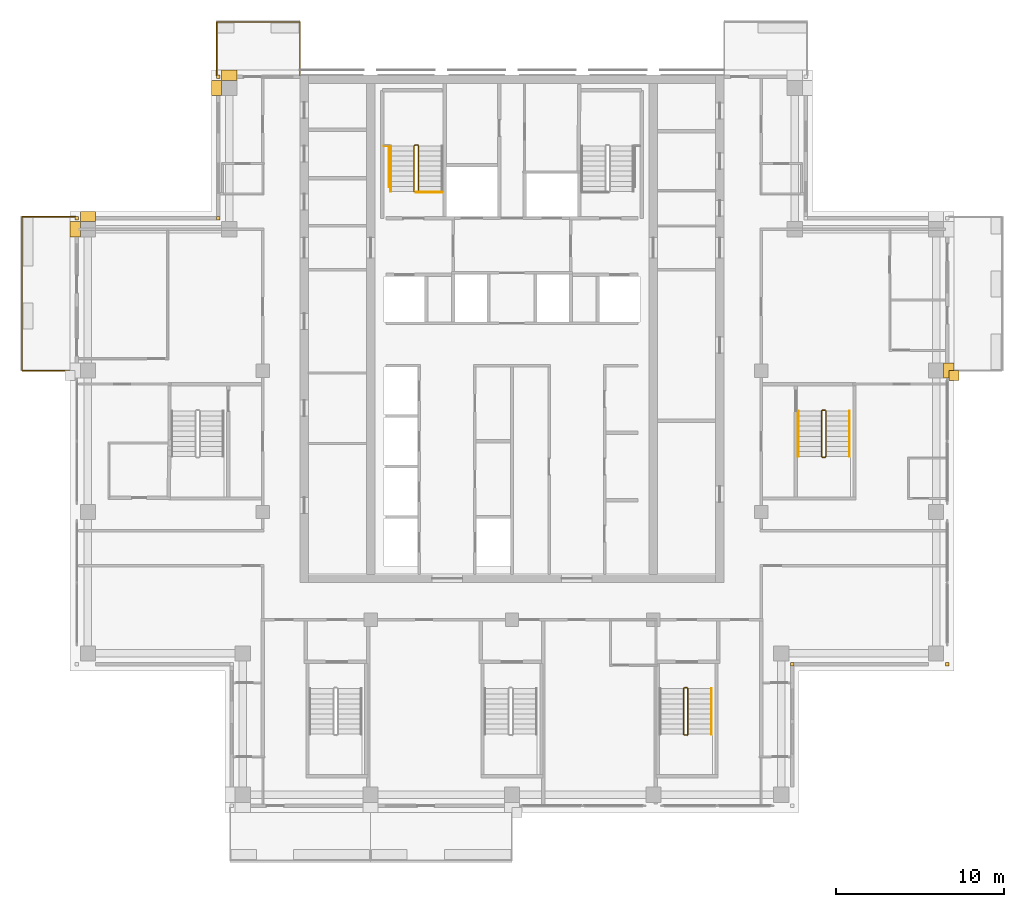
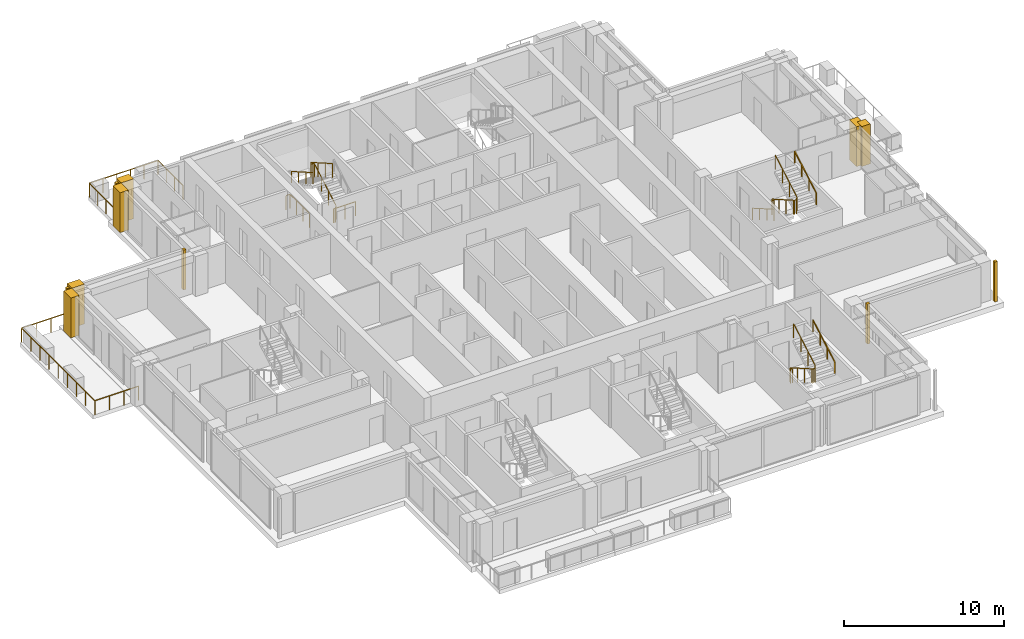
# One storey, part 14 of 15: 11 coverings, 11 railings.
"""IFC4 building model written with IfcOpenShell, lengths in metres."""

from ifc_helpers import new_model, si_unit, direction, frame, origin, origin_2d, place, context, subcontext, project, spatial, polyline, rectangle, outline, extrude, material, type_object, element, save


model = new_model("IFC4")

# Units and contexts
model_context = context("Model", 3, precision=1e-05, world=origin(), true_north=direction((0.0, 1.0)))
body_context = subcontext(model_context, "Body", "Model", "MODEL_VIEW")
ifc_project = project(units=[si_unit("LENGTHUNIT", "METRE"), si_unit("AREAUNIT", "SQUARE_METRE"), si_unit("VOLUMEUNIT", "CUBIC_METRE"), si_unit("PLANEANGLEUNIT", "RADIAN"), si_unit("MASSUNIT", "GRAM", prefix="KILO")], contexts=[model_context])

# Site, building, storey
site_placement = place(None, origin())
site = spatial("IfcSite", under=ifc_project, at=site_placement, CompositionType="ELEMENT")
building_placement = place(site_placement, origin())
building = spatial("IfcBuilding", under=site, at=building_placement, Name="Vermilion Ogive Tower", CompositionType="ELEMENT")
storey_placement = place(building_placement, frame((0.0, 0.0, 237.25)))
storey = spatial("IfcBuildingStorey", under=building, at=storey_placement, Name="L62", CompositionType="ELEMENT", Elevation=237.25)

# Railings
ifc_material_1 = material(Name="Stainless steel and glass", Category="steel")
railing_type_1 = type_object("IfcRailingType", Name="Balcony guard", PredefinedType="GUARDRAIL", material=ifc_material_1)
railing_1_placement = place(storey_placement, frame((-12.60009765625, 21.75, -0.0400390625)))
element("IfcRailing", 1, at=railing_1_placement, inside=storey, type_object=railing_type_1, Name="Guard N201", PredefinedType="GUARDRAIL", context=body_context, shape_type="SweptSolid", body=[
    extrude(rectangle(XDim=0.048095703125, YDim=0.048095703125, at=origin_2d()), frame((0.0, 0.0, 1.076171875), z_axis=(0.0, 1.0, 0.0), x_axis=(-1.0, 0.0, 0.0)), (0.0, 0.0, 1.0), 3.159912109375),
    extrude(rectangle(XDim=0.048095703125, YDim=0.048095703125, at=origin_2d()), frame((0.0, 3.159912109375, 1.076171875), z_axis=(-1.0, 0.0, 0.0), x_axis=(0.0, -1.0, 0.0)), (0.0, 0.0, 1.0), 4.949951171875),
    extrude(rectangle(XDim=0.048095703125, YDim=0.048095703125, at=origin_2d()), frame((-4.949951171875, 3.159912109375, 1.076171875), z_axis=(0.0, -1.0, 0.0), x_axis=(1.0, 0.0, 0.0)), (0.0, 0.0, 1.0), 3.159912109375),
    extrude(rectangle(XDim=0.0419921875, YDim=0.0419921875, at=origin_2d()), origin(), (0.0, 0.0, 1.0), 1.052001953125),
    extrude(rectangle(XDim=0.0419921875, YDim=0.0419921875, at=origin_2d()), frame((0.0, 1.05322265625, 0.0)), (0.0, 0.0, 1.0), 1.052001953125),
    extrude(rectangle(XDim=0.0419921875, YDim=0.0419921875, at=origin_2d()), frame((0.0, 2.106689453125, 0.0)), (0.0, 0.0, 1.0), 1.052001953125),
    extrude(rectangle(XDim=0.0419921875, YDim=0.0419921875, at=origin_2d()), frame((0.0, 3.159912109375, 0.0)), (0.0, 0.0, 1.0), 1.052001953125),
    extrude(rectangle(XDim=0.0419921875, YDim=0.0419921875, at=origin_2d()), frame((-0.989990234375, 3.159912109375, 0.0)), (0.0, 0.0, 1.0), 1.052001953125),
    extrude(rectangle(XDim=0.0419921875, YDim=0.0419921875, at=origin_2d()), frame((-1.97998046875, 3.159912109375, 0.0)), (0.0, 0.0, 1.0), 1.052001953125),
    extrude(rectangle(XDim=0.0419921875, YDim=0.0419921875, at=origin_2d()), frame((-2.969970703125, 3.159912109375, 0.0)), (0.0, 0.0, 1.0), 1.052001953125),
    extrude(rectangle(XDim=0.0419921875, YDim=0.0419921875, at=origin_2d()), frame((-3.9599609375, 3.159912109375, 0.0)), (0.0, 0.0, 1.0), 1.052001953125),
    extrude(rectangle(XDim=0.0419921875, YDim=0.0419921875, at=origin_2d()), frame((-4.949951171875, 3.159912109375, 0.0)), (0.0, 0.0, 1.0), 1.052001953125),
    extrude(rectangle(XDim=0.0419921875, YDim=0.0419921875, at=origin_2d()), frame((-4.949951171875, 2.106689453125, 0.0)), (0.0, 0.0, 1.0), 1.052001953125),
    extrude(rectangle(XDim=0.0419921875, YDim=0.0419921875, at=origin_2d()), frame((-4.949951171875, 1.05322265625, 0.0)), (0.0, 0.0, 1.0), 1.052001953125),
    extrude(rectangle(XDim=0.0419921875, YDim=0.0419921875, at=origin_2d()), frame((-4.949951171875, 0.0, 0.0)), (0.0, 0.0, 1.0), 1.052001953125),
])
railing_2_placement = place(storey_placement, frame((-25.949951171875, 13.35009765625, -0.0400390625)))
element("IfcRailing", 2, at=railing_2_placement, inside=storey, type_object=railing_type_1, Name="Guard W01", PredefinedType="GUARDRAIL", context=body_context, shape_type="SweptSolid", body=[
    extrude(rectangle(XDim=0.048095703125, YDim=0.048095703125, at=origin_2d()), frame((0.0, 0.0, 1.076171875), z_axis=(-1.0, 0.0, 0.0), x_axis=(0.0, -1.0, 0.0)), (0.0, 0.0, 1.0), 3.16015625),
    extrude(rectangle(XDim=0.048095703125, YDim=0.048095703125, at=origin_2d()), frame((-3.16015625, 0.0, 1.076171875), z_axis=(0.0, -1.0, 0.0), x_axis=(1.0, 0.0, 0.0)), (0.0, 0.0, 1.0), 9.150146484375),
    extrude(rectangle(XDim=0.048095703125, YDim=0.048095703125, at=origin_2d()), frame((-3.16015625, -9.150146484375, 1.076171875), z_axis=(1.0, 0.0, 0.0), x_axis=(0.0, 1.0, 0.0)), (0.0, 0.0, 1.0), 3.16015625),
    extrude(rectangle(XDim=0.0419921875, YDim=0.0419921875, at=origin_2d()), origin(), (0.0, 0.0, 1.0), 1.052001953125),
    extrude(rectangle(XDim=0.0419921875, YDim=0.0419921875, at=origin_2d()), frame((-1.053466796875, 0.0, 0.0)), (0.0, 0.0, 1.0), 1.052001953125),
    extrude(rectangle(XDim=0.0419921875, YDim=0.0419921875, at=origin_2d()), frame((-2.106689453125, 0.0, 0.0)), (0.0, 0.0, 1.0), 1.052001953125),
    extrude(rectangle(XDim=0.0419921875, YDim=0.0419921875, at=origin_2d()), frame((-3.16015625, 0.0, 0.0)), (0.0, 0.0, 1.0), 1.052001953125),
    extrude(rectangle(XDim=0.0419921875, YDim=0.0419921875, at=origin_2d()), frame((-3.16015625, -1.143798828125, 0.0)), (0.0, 0.0, 1.0), 1.052001953125),
    extrude(rectangle(XDim=0.0419921875, YDim=0.0419921875, at=origin_2d()), frame((-3.16015625, -2.28759765625, 0.0)), (0.0, 0.0, 1.0), 1.052001953125),
    extrude(rectangle(XDim=0.0419921875, YDim=0.0419921875, at=origin_2d()), frame((-3.16015625, -3.431396484375, 0.0)), (0.0, 0.0, 1.0), 1.052001953125),
    extrude(rectangle(XDim=0.0419921875, YDim=0.0419921875, at=origin_2d()), frame((-3.16015625, -4.5751953125, 0.0)), (0.0, 0.0, 1.0), 1.052001953125),
    extrude(rectangle(XDim=0.0419921875, YDim=0.0419921875, at=origin_2d()), frame((-3.16015625, -5.71875, 0.0)), (0.0, 0.0, 1.0), 1.052001953125),
    extrude(rectangle(XDim=0.0419921875, YDim=0.0419921875, at=origin_2d()), frame((-3.16015625, -6.862548828125, 0.0)), (0.0, 0.0, 1.0), 1.052001953125),
    extrude(rectangle(XDim=0.0419921875, YDim=0.0419921875, at=origin_2d()), frame((-3.16015625, -8.00634765625, 0.0)), (0.0, 0.0, 1.0), 1.052001953125),
    extrude(rectangle(XDim=0.0419921875, YDim=0.0419921875, at=origin_2d()), frame((-3.16015625, -9.150146484375, 0.0)), (0.0, 0.0, 1.0), 1.052001953125),
    extrude(rectangle(XDim=0.0419921875, YDim=0.0419921875, at=origin_2d()), frame((-2.106689453125, -9.150146484375, 0.0)), (0.0, 0.0, 1.0), 1.052001953125),
    extrude(rectangle(XDim=0.0419921875, YDim=0.0419921875, at=origin_2d()), frame((-1.053466796875, -9.150146484375, 0.0)), (0.0, 0.0, 1.0), 1.052001953125),
    extrude(rectangle(XDim=0.0419921875, YDim=0.0419921875, at=origin_2d()), frame((0.0, -9.150146484375, 0.0)), (0.0, 0.0, 1.0), 1.052001953125),
])
ifc_material_2 = material(Name="Steel S355 painted", Category="steel")
railing_type_2 = type_object("IfcRailingType", Name="Stair guard 1100", PredefinedType="GUARDRAIL", material=ifc_material_2)
railing_3_placement = place(storey_placement, frame((-5.75, 14.800048828125, 0.0)))
element("IfcRailing", 3, at=railing_3_placement, inside=storey, type_object=railing_type_2, Name="L62 ST1 stair guard 4", PredefinedType="GUARDRAIL", context=body_context, shape_type="SweptSolid", body=[
    extrude(rectangle(XDim=0.048095703125, YDim=0.048095703125, at=origin_2d()), frame((0.0, 0.0, 1.076171875), z_axis=(1.0, 0.0, 0.0), x_axis=(0.0, 1.0, 0.0)), (0.0, 0.0, 1.0), 0.14990234375),
    extrude(rectangle(XDim=0.048095703125, YDim=0.048095703125, at=origin_2d()), frame((0.14990234375, 0.0, 1.076171875), z_axis=(0.268277960024, 0.268277960024, 0.925231793839), x_axis=(-0.707106781187, 0.707106781187, 0.0)), (0.0, 0.0, 1.0), 0.1865234375),
    extrude(rectangle(XDim=0.048095703125, YDim=0.048095703125, at=origin_2d()), frame((0.199951171875, 0.050048828125, 1.24853515625), z_axis=(0.0, 0.866903762492, 0.498475542607), x_axis=(-1.0, 0.0, 0.0)), (0.0, 0.0, 1.0), 3.114501953125),
    extrude(rectangle(XDim=0.048095703125, YDim=0.048095703125, at=origin_2d()), frame((0.199951171875, 2.75, 2.80126953125), z_axis=(-0.707106781187, 0.707106781187, 0.0), x_axis=(-0.707106781187, -0.707106781187, 0.0)), (0.0, 0.0, 1.0), 0.07080078125),
    extrude(rectangle(XDim=0.048095703125, YDim=0.048095703125, at=origin_2d()), frame((0.14990234375, 2.800048828125, 2.80126953125), z_axis=(-1.0, 0.0, 0.0), x_axis=(0.0, -1.0, 0.0)), (0.0, 0.0, 1.0), 0.14990234375),
    extrude(rectangle(XDim=0.048095703125, YDim=0.048095703125, at=origin_2d()), frame((0.0, 2.800048828125, 2.80126953125), z_axis=(-0.268603158521, -0.268603158521, 0.925043072762), x_axis=(0.707106781187, -0.707106781187, 0.0)), (0.0, 0.0, 1.0), 0.186279296875),
    extrude(rectangle(XDim=0.048095703125, YDim=0.048095703125, at=origin_2d()), frame((-0.050048828125, 2.75, 2.9736328125), z_axis=(0.0, -0.866903762492, 0.498475542607), x_axis=(1.0, 0.0, 0.0)), (0.0, 0.0, 1.0), 3.114501953125),
    extrude(rectangle(XDim=0.0419921875, YDim=0.0419921875, at=origin_2d()), origin(), (0.0, 0.0, 1.0), 1.052001953125),
    extrude(rectangle(XDim=0.0419921875, YDim=0.0419921875, at=origin_2d()), frame((0.14990234375, 0.0, 0.0)), (0.0, 0.0, 1.0), 1.052001953125),
    extrude(rectangle(XDim=0.0419921875, YDim=0.0419921875, at=origin_2d()), frame((0.199951171875, 0.050048828125, 0.172607421875)), (0.0, 0.0, 1.0), 1.052001953125),
    extrude(rectangle(XDim=0.0419921875, YDim=0.0419921875, at=origin_2d()), frame((0.199951171875, 0.949951171875, 0.690185546875)), (0.0, 0.0, 1.0), 1.052001953125),
    extrude(rectangle(XDim=0.0419921875, YDim=0.0419921875, at=origin_2d()), frame((0.199951171875, 1.85009765625, 1.20751953125)), (0.0, 0.0, 1.0), 1.052001953125),
    extrude(rectangle(XDim=0.0419921875, YDim=0.0419921875, at=origin_2d()), frame((0.199951171875, 2.75, 1.72509765625)), (0.0, 0.0, 1.0), 1.052001953125),
    extrude(rectangle(XDim=0.0419921875, YDim=0.0419921875, at=origin_2d()), frame((0.14990234375, 2.800048828125, 1.72509765625)), (0.0, 0.0, 1.0), 1.052001953125),
    extrude(rectangle(XDim=0.0419921875, YDim=0.0419921875, at=origin_2d()), frame((0.0, 2.800048828125, 1.72509765625)), (0.0, 0.0, 1.0), 1.052001953125),
    extrude(rectangle(XDim=0.0419921875, YDim=0.0419921875, at=origin_2d()), frame((-0.050048828125, 2.75, 1.8974609375)), (0.0, 0.0, 1.0), 1.052001953125),
    extrude(rectangle(XDim=0.0419921875, YDim=0.0419921875, at=origin_2d()), frame((-0.050048828125, 1.85009765625, 2.4150390625)), (0.0, 0.0, 1.0), 1.052001953125),
    extrude(rectangle(XDim=0.0419921875, YDim=0.0419921875, at=origin_2d()), frame((-0.050048828125, 0.949951171875, 2.932373046875)), (0.0, 0.0, 1.0), 1.052001953125),
    extrude(rectangle(XDim=0.0419921875, YDim=0.0419921875, at=origin_2d()), frame((-0.050048828125, 0.050048828125, 3.449951171875)), (0.0, 0.0, 1.0), 1.052001953125),
])
railing_4_placement = place(storey_placement, frame((10.39990234375, -14.64990234375, 0.0)))
element("IfcRailing", 4, at=railing_4_placement, inside=storey, type_object=railing_type_2, Name="L62 ST5 stair guard 4", PredefinedType="GUARDRAIL", context=body_context, shape_type="SweptSolid", body=[
    extrude(rectangle(XDim=0.048095703125, YDim=0.048095703125, at=origin_2d()), frame((0.0, 0.0, 1.076171875), z_axis=(-1.0, 0.0, 0.0), x_axis=(0.0, -1.0, 0.0)), (0.0, 0.0, 1.0), 0.14990234375),
    extrude(rectangle(XDim=0.048095703125, YDim=0.048095703125, at=origin_2d()), frame((-0.14990234375, 0.0, 1.076171875), z_axis=(-0.268277960024, -0.268277960024, 0.925231793839), x_axis=(0.707106781187, -0.707106781187, 0.0)), (0.0, 0.0, 1.0), 0.1865234375),
    extrude(rectangle(XDim=0.048095703125, YDim=0.048095703125, at=origin_2d()), frame((-0.199951171875, -0.050048828125, 1.24853515625), z_axis=(0.0, -0.866903762492, 0.498475542607), x_axis=(1.0, 0.0, 0.0)), (0.0, 0.0, 1.0), 3.114501953125),
    extrude(rectangle(XDim=0.048095703125, YDim=0.048095703125, at=origin_2d()), frame((-0.199951171875, -2.75, 2.80126953125), z_axis=(0.707106781187, -0.707106781187, 0.0), x_axis=(0.707106781187, 0.707106781187, 0.0)), (0.0, 0.0, 1.0), 0.07080078125),
    extrude(rectangle(XDim=0.048095703125, YDim=0.048095703125, at=origin_2d()), frame((-0.14990234375, -2.800048828125, 2.80126953125), z_axis=(1.0, 0.0, 0.0), x_axis=(0.0, 1.0, 0.0)), (0.0, 0.0, 1.0), 0.14990234375),
    extrude(rectangle(XDim=0.048095703125, YDim=0.048095703125, at=origin_2d()), frame((0.0, -2.800048828125, 2.80126953125), z_axis=(0.268603158521, 0.268603158521, 0.925043072762), x_axis=(-0.707106781187, 0.707106781187, 0.0)), (0.0, 0.0, 1.0), 0.186279296875),
    extrude(rectangle(XDim=0.048095703125, YDim=0.048095703125, at=origin_2d()), frame((0.050048828125, -2.75, 2.9736328125), z_axis=(0.0, 0.866903762492, 0.498475542607), x_axis=(-1.0, 0.0, 0.0)), (0.0, 0.0, 1.0), 3.114501953125),
    extrude(rectangle(XDim=0.0419921875, YDim=0.0419921875, at=origin_2d()), origin(), (0.0, 0.0, 1.0), 1.052001953125),
    extrude(rectangle(XDim=0.0419921875, YDim=0.0419921875, at=origin_2d()), frame((-0.14990234375, 0.0, 0.0)), (0.0, 0.0, 1.0), 1.052001953125),
    extrude(rectangle(XDim=0.0419921875, YDim=0.0419921875, at=origin_2d()), frame((-0.199951171875, -0.050048828125, 0.172607421875)), (0.0, 0.0, 1.0), 1.052001953125),
    extrude(rectangle(XDim=0.0419921875, YDim=0.0419921875, at=origin_2d()), frame((-0.199951171875, -0.949951171875, 0.690185546875)), (0.0, 0.0, 1.0), 1.052001953125),
    extrude(rectangle(XDim=0.0419921875, YDim=0.0419921875, at=origin_2d()), frame((-0.199951171875, -1.85009765625, 1.20751953125)), (0.0, 0.0, 1.0), 1.052001953125),
    extrude(rectangle(XDim=0.0419921875, YDim=0.0419921875, at=origin_2d()), frame((-0.199951171875, -2.75, 1.72509765625)), (0.0, 0.0, 1.0), 1.052001953125),
    extrude(rectangle(XDim=0.0419921875, YDim=0.0419921875, at=origin_2d()), frame((-0.14990234375, -2.800048828125, 1.72509765625)), (0.0, 0.0, 1.0), 1.052001953125),
    extrude(rectangle(XDim=0.0419921875, YDim=0.0419921875, at=origin_2d()), frame((0.0, -2.800048828125, 1.72509765625)), (0.0, 0.0, 1.0), 1.052001953125),
    extrude(rectangle(XDim=0.0419921875, YDim=0.0419921875, at=origin_2d()), frame((0.050048828125, -2.75, 1.8974609375)), (0.0, 0.0, 1.0), 1.052001953125),
    extrude(rectangle(XDim=0.0419921875, YDim=0.0419921875, at=origin_2d()), frame((0.050048828125, -1.85009765625, 2.4150390625)), (0.0, 0.0, 1.0), 1.052001953125),
    extrude(rectangle(XDim=0.0419921875, YDim=0.0419921875, at=origin_2d()), frame((0.050048828125, -0.949951171875, 2.932373046875)), (0.0, 0.0, 1.0), 1.052001953125),
    extrude(rectangle(XDim=0.0419921875, YDim=0.0419921875, at=origin_2d()), frame((0.050048828125, -0.050048828125, 3.449951171875)), (0.0, 0.0, 1.0), 1.052001953125),
])
railing_5_placement = place(storey_placement, frame((18.60009765625, 1.85009765625, 0.0)))
element("IfcRailing", 5, at=railing_5_placement, inside=storey, type_object=railing_type_2, Name="L62 ST8 stair guard 4", PredefinedType="GUARDRAIL", context=body_context, shape_type="SweptSolid", body=[
    extrude(rectangle(XDim=0.048095703125, YDim=0.048095703125, at=origin_2d()), frame((0.0, 0.0, 1.076171875), z_axis=(-1.0, 0.0, 0.0), x_axis=(0.0, -1.0, 0.0)), (0.0, 0.0, 1.0), 0.150146484375),
    extrude(rectangle(XDim=0.048095703125, YDim=0.048095703125, at=origin_2d()), frame((-0.150146484375, 0.0, 1.076171875), z_axis=(-0.268277960024, -0.268277960024, 0.925231793839), x_axis=(0.707106781187, -0.707106781187, 0.0)), (0.0, 0.0, 1.0), 0.1865234375),
    extrude(rectangle(XDim=0.048095703125, YDim=0.048095703125, at=origin_2d()), frame((-0.2001953125, -0.050048828125, 1.24853515625), z_axis=(0.0, -0.866903762492, 0.498475542607), x_axis=(1.0, 0.0, 0.0)), (0.0, 0.0, 1.0), 3.114501953125),
    extrude(rectangle(XDim=0.048095703125, YDim=0.048095703125, at=origin_2d()), frame((-0.2001953125, -2.75, 2.80126953125), z_axis=(0.707106781187, -0.707106781187, 0.0), x_axis=(0.707106781187, 0.707106781187, 0.0)), (0.0, 0.0, 1.0), 0.07080078125),
    extrude(rectangle(XDim=0.048095703125, YDim=0.048095703125, at=origin_2d()), frame((-0.150146484375, -2.800048828125, 2.80126953125), z_axis=(1.0, 0.0, 0.0), x_axis=(0.0, 1.0, 0.0)), (0.0, 0.0, 1.0), 0.150146484375),
    extrude(rectangle(XDim=0.048095703125, YDim=0.048095703125, at=origin_2d()), frame((0.0, -2.800048828125, 2.80126953125), z_axis=(0.267386790225, 0.268697509785, 0.925368009307), x_axis=(-0.708833529934, 0.705375805398, 0.0)), (0.0, 0.0, 1.0), 0.186279296875),
    extrude(rectangle(XDim=0.048095703125, YDim=0.048095703125, at=origin_2d()), frame((0.0498046875, -2.75, 2.9736328125), z_axis=(0.0, 0.866903762492, 0.498475542607), x_axis=(-1.0, 0.0, 0.0)), (0.0, 0.0, 1.0), 3.114501953125),
    extrude(rectangle(XDim=0.0419921875, YDim=0.0419921875, at=origin_2d()), origin(), (0.0, 0.0, 1.0), 1.052001953125),
    extrude(rectangle(XDim=0.0419921875, YDim=0.0419921875, at=origin_2d()), frame((-0.150146484375, 0.0, 0.0)), (0.0, 0.0, 1.0), 1.052001953125),
    extrude(rectangle(XDim=0.0419921875, YDim=0.0419921875, at=origin_2d()), frame((-0.2001953125, -0.050048828125, 0.172607421875)), (0.0, 0.0, 1.0), 1.052001953125),
    extrude(rectangle(XDim=0.0419921875, YDim=0.0419921875, at=origin_2d()), frame((-0.2001953125, -0.949951171875, 0.690185546875)), (0.0, 0.0, 1.0), 1.052001953125),
    extrude(rectangle(XDim=0.0419921875, YDim=0.0419921875, at=origin_2d()), frame((-0.2001953125, -1.85009765625, 1.20751953125)), (0.0, 0.0, 1.0), 1.052001953125),
    extrude(rectangle(XDim=0.0419921875, YDim=0.0419921875, at=origin_2d()), frame((-0.2001953125, -2.75, 1.72509765625)), (0.0, 0.0, 1.0), 1.052001953125),
    extrude(rectangle(XDim=0.0419921875, YDim=0.0419921875, at=origin_2d()), frame((-0.150146484375, -2.800048828125, 1.72509765625)), (0.0, 0.0, 1.0), 1.052001953125),
    extrude(rectangle(XDim=0.0419921875, YDim=0.0419921875, at=origin_2d()), frame((0.0, -2.800048828125, 1.72509765625)), (0.0, 0.0, 1.0), 1.052001953125),
    extrude(rectangle(XDim=0.0419921875, YDim=0.0419921875, at=origin_2d()), frame((0.0498046875, -2.75, 1.8974609375)), (0.0, 0.0, 1.0), 1.052001953125),
    extrude(rectangle(XDim=0.0419921875, YDim=0.0419921875, at=origin_2d()), frame((0.0498046875, -1.85009765625, 2.4150390625)), (0.0, 0.0, 1.0), 1.052001953125),
    extrude(rectangle(XDim=0.0419921875, YDim=0.0419921875, at=origin_2d()), frame((0.0498046875, -0.949951171875, 2.932373046875)), (0.0, 0.0, 1.0), 1.052001953125),
    extrude(rectangle(XDim=0.0419921875, YDim=0.0419921875, at=origin_2d()), frame((0.0498046875, -0.050048828125, 3.449951171875)), (0.0, 0.0, 1.0), 1.052001953125),
])
railing_6_placement = place(storey_placement, frame((-4.159912109375, 14.7900390625, 0.0)))
element("IfcRailing", 6, at=railing_6_placement, inside=storey, type_object=railing_type_2, Name="L62 stair opening guard", PredefinedType="GUARDRAIL", context=body_context, shape_type="SweptSolid", body=[
    extrude(rectangle(XDim=0.048095703125, YDim=0.048095703125, at=origin_2d()), frame((0.0, 0.0, 1.076171875), z_axis=(-1.0, 0.0, 0.0), x_axis=(0.0, -1.0, 0.0)), (0.0, 0.0, 1.0), 1.5400390625),
    extrude(rectangle(XDim=0.0419921875, YDim=0.0419921875, at=origin_2d()), origin(), (0.0, 0.0, 1.0), 1.052001953125),
    extrude(rectangle(XDim=0.0419921875, YDim=0.0419921875, at=origin_2d()), frame((-0.77001953125, 0.0, 0.0)), (0.0, 0.0, 1.0), 1.052001953125),
    extrude(rectangle(XDim=0.0419921875, YDim=0.0419921875, at=origin_2d()), frame((-1.5400390625, 0.0, 0.0)), (0.0, 0.0, 1.0), 1.052001953125),
])
railing_7_placement = place(storey_placement, frame((-7.3095703125, 15.11865234375, 0.0)))
element("IfcRailing", 7, at=railing_7_placement, inside=storey, type_object=railing_type_2, Name="L62 stair opening guard", PredefinedType="GUARDRAIL", context=body_context, shape_type="SweptSolid", body=[
    extrude(rectangle(XDim=0.048095703125, YDim=0.048095703125, at=origin_2d()), frame((0.0, 0.0, 1.076171875), z_axis=(0.0, 1.0, 0.0), x_axis=(-1.0, 0.0, 0.0)), (0.0, 0.0, 1.0), 2.42431640625),
    extrude(rectangle(XDim=0.048095703125, YDim=0.048095703125, at=origin_2d()), frame((0.0, 2.42431640625, 1.076171875), z_axis=(-1.0, 0.0, 0.0), x_axis=(0.0, -1.0, 0.0)), (0.0, 0.0, 1.0), 0.2900390625),
    extrude(rectangle(XDim=0.0419921875, YDim=0.0419921875, at=origin_2d()), origin(), (0.0, 0.0, 1.0), 1.052001953125),
    extrude(rectangle(XDim=0.0419921875, YDim=0.0419921875, at=origin_2d()), frame((0.0, 0.80810546875, 0.0)), (0.0, 0.0, 1.0), 1.052001953125),
    extrude(rectangle(XDim=0.0419921875, YDim=0.0419921875, at=origin_2d()), frame((0.0, 1.6162109375, 0.0)), (0.0, 0.0, 1.0), 1.052001953125),
    extrude(rectangle(XDim=0.0419921875, YDim=0.0419921875, at=origin_2d()), frame((0.0, 2.42431640625, 0.0)), (0.0, 0.0, 1.0), 1.052001953125),
    extrude(rectangle(XDim=0.0419921875, YDim=0.0419921875, at=origin_2d()), frame((-0.2900390625, 2.42431640625, 0.0)), (0.0, 0.0, 1.0), 1.052001953125),
])
ifc_material_3 = material(Name="Stainless steel", Category="steel")
railing_type_3 = type_object("IfcRailingType", Name="Stair handrail 900", PredefinedType="HANDRAIL", material=ifc_material_3)
railing_8_placement = place(storey_placement, frame((-7.199951171875, 17.550048828125, 1.8974609375)))
element("IfcRailing", 8, at=railing_8_placement, inside=storey, type_object=railing_type_3, Name="L62 ST1 stair handrail 2", PredefinedType="HANDRAIL", context=body_context, shape_type="SweptSolid", body=[
    extrude(rectangle(XDim=0.048095703125, YDim=0.048095703125, at=origin_2d()), frame((0.0, 0.0, 0.8759765625), z_axis=(0.0, -0.866903762492, 0.498475542607), x_axis=(1.0, 0.0, 0.0)), (0.0, 0.0, 1.0), 3.114501953125),
    extrude(rectangle(XDim=0.0419921875, YDim=0.0419921875, at=origin_2d()), origin(), (0.0, 0.0, 1.0), 0.851806640625),
    extrude(rectangle(XDim=0.0419921875, YDim=0.0419921875, at=origin_2d()), frame((0.0, -0.89990234375, 0.517578125)), (0.0, 0.0, 1.0), 0.851806640625),
    extrude(rectangle(XDim=0.0419921875, YDim=0.0419921875, at=origin_2d()), frame((0.0, -1.800048828125, 1.034912109375)), (0.0, 0.0, 1.0), 0.851806640625),
    extrude(rectangle(XDim=0.0419921875, YDim=0.0419921875, at=origin_2d()), frame((0.0, -2.699951171875, 1.552490234375)), (0.0, 0.0, 1.0), 0.851806640625),
])
railing_9_placement = place(storey_placement, frame((11.85009765625, -17.39990234375, 1.8974609375)))
element("IfcRailing", 9, at=railing_9_placement, inside=storey, type_object=railing_type_3, Name="L62 ST5 stair handrail 2", PredefinedType="HANDRAIL", context=body_context, shape_type="SweptSolid", body=[
    extrude(rectangle(XDim=0.048095703125, YDim=0.048095703125, at=origin_2d()), frame((0.0, 0.0, 0.8759765625), z_axis=(0.0, 0.866903762492, 0.498475542607), x_axis=(-1.0, 0.0, 0.0)), (0.0, 0.0, 1.0), 3.114501953125),
    extrude(rectangle(XDim=0.0419921875, YDim=0.0419921875, at=origin_2d()), origin(), (0.0, 0.0, 1.0), 0.851806640625),
    extrude(rectangle(XDim=0.0419921875, YDim=0.0419921875, at=origin_2d()), frame((0.0, 0.89990234375, 0.517578125)), (0.0, 0.0, 1.0), 0.851806640625),
    extrude(rectangle(XDim=0.0419921875, YDim=0.0419921875, at=origin_2d()), frame((0.0, 1.800048828125, 1.034912109375)), (0.0, 0.0, 1.0), 0.851806640625),
    extrude(rectangle(XDim=0.0419921875, YDim=0.0419921875, at=origin_2d()), frame((0.0, 2.699951171875, 1.552490234375)), (0.0, 0.0, 1.0), 0.851806640625),
])
railing_10_placement = place(storey_placement, frame((17.0, 1.800048828125, 0.172607421875)))
element("IfcRailing", 10, at=railing_10_placement, inside=storey, type_object=railing_type_3, Name="L62 ST8 stair handrail 1", PredefinedType="HANDRAIL", context=body_context, shape_type="SweptSolid", body=[
    extrude(rectangle(XDim=0.048095703125, YDim=0.048095703125, at=origin_2d()), frame((0.0, 0.0, 0.8759765625), z_axis=(0.0, -0.866903762492, 0.498475542607), x_axis=(1.0, 0.0, 0.0)), (0.0, 0.0, 1.0), 3.114501953125),
    extrude(rectangle(XDim=0.0419921875, YDim=0.0419921875, at=origin_2d()), origin(), (0.0, 0.0, 1.0), 0.851806640625),
    extrude(rectangle(XDim=0.0419921875, YDim=0.0419921875, at=origin_2d()), frame((0.0, -0.89990234375, 0.517578125)), (0.0, 0.0, 1.0), 0.851806640625),
    extrude(rectangle(XDim=0.0419921875, YDim=0.0419921875, at=origin_2d()), frame((0.0, -1.800048828125, 1.034912109375)), (0.0, 0.0, 1.0), 0.851806640625),
    extrude(rectangle(XDim=0.0419921875, YDim=0.0419921875, at=origin_2d()), frame((0.0, -2.699951171875, 1.552490234375)), (0.0, 0.0, 1.0), 0.851806640625),
])
railing_11_placement = place(storey_placement, frame((20.050048828125, -0.89990234375, 1.8974609375)))
element("IfcRailing", 11, at=railing_11_placement, inside=storey, type_object=railing_type_3, Name="L62 ST8 stair handrail 2", PredefinedType="HANDRAIL", context=body_context, shape_type="SweptSolid", body=[
    extrude(rectangle(XDim=0.048095703125, YDim=0.048095703125, at=origin_2d()), frame((0.0, 0.0, 0.8759765625), z_axis=(0.0, 0.866903762492, 0.498475542607), x_axis=(-1.0, 0.0, 0.0)), (0.0, 0.0, 1.0), 3.114501953125),
    extrude(rectangle(XDim=0.0419921875, YDim=0.0419921875, at=origin_2d()), origin(), (0.0, 0.0, 1.0), 0.851806640625),
    extrude(rectangle(XDim=0.0419921875, YDim=0.0419921875, at=origin_2d()), frame((0.0, 0.89990234375, 0.517578125)), (0.0, 0.0, 1.0), 0.851806640625),
    extrude(rectangle(XDim=0.0419921875, YDim=0.0419921875, at=origin_2d()), frame((0.0, 1.800048828125, 1.034912109375)), (0.0, 0.0, 1.0), 0.851806640625),
    extrude(rectangle(XDim=0.0419921875, YDim=0.0419921875, at=origin_2d()), frame((0.0, 2.699951171875, 1.552490234375)), (0.0, 0.0, 1.0), 0.851806640625),
])

# Coverings
ifc_material_4 = material(Name="Stone cladding", Category="masonry")
covering_type_1 = type_object("IfcCoveringType", Name="Stone corner buttress", PredefinedType="CLADDING", material=ifc_material_4)
covering_1_placement = place(storey_placement, origin())
element("IfcCovering", 12, at=covering_1_placement, inside=storey, type_object=covering_type_1, Name="Stone crease pier EK", PredefinedType="CLADDING", context=body_context, shape_type="SweptSolid", body=[
    extrude(outline(polyline([(26.550048828125, 3.60009765625), (26.550048828125, 4.199951171875), (25.949951171875, 4.199951171875), (25.949951171875, 3.60009765625), (26.550048828125, 3.60009765625)])), origin(), (0.0, 0.0, 1.0), 3.050048828125),
])
ifc_material_5 = material(Name="Stone cladding", Category="masonry")
covering_type_2 = type_object("IfcCoveringType", Name="Stone pier", PredefinedType="CLADDING", material=ifc_material_5)
covering_2_placement = place(storey_placement, origin())
element("IfcCovering", 13, at=covering_2_placement, inside=storey, type_object=covering_type_2, Name="Stone corner pier X1E1", PredefinedType="CLADDING", context=body_context, shape_type="SweptSolid", body=[
    extrude(outline(polyline([(16.550048828125, -13.14990234375), (16.75, -13.14990234375), (16.75, -13.35009765625), (16.550048828125, -13.35009765625), (16.550048828125, -13.14990234375)])), origin(), (0.0, 0.0, 1.0), 3.050048828125),
])
covering_3_placement = place(storey_placement, origin())
element("IfcCovering", 14, at=covering_3_placement, inside=storey, type_object=covering_type_2, Name="Stone corner pier X2E1", PredefinedType="CLADDING", context=body_context, shape_type="SweptSolid", body=[
    extrude(outline(polyline([(25.75, -13.14990234375), (25.949951171875, -13.14990234375), (25.949951171875, -13.35009765625), (25.75, -13.35009765625), (25.75, -13.14990234375)])), origin(), (0.0, 0.0, 1.0), 3.050048828125),
])
covering_4_placement = place(storey_placement, origin())
element("IfcCovering", 15, at=covering_4_placement, inside=storey, type_object=covering_type_2, Name="Stone corner pier N2E1", PredefinedType="CLADDING", context=body_context, shape_type="SweptSolid", body=[
    extrude(outline(polyline([(-17.35009765625, 21.550048828125), (-17.550048828125, 21.550048828125), (-17.550048828125, 21.75), (-17.35009765625, 21.75), (-17.35009765625, 21.550048828125)])), origin(), (0.0, 0.0, 1.0), 3.050048828125),
])
covering_5_placement = place(storey_placement, origin())
element("IfcCovering", 16, at=covering_5_placement, inside=storey, type_object=covering_type_2, Name="Stone corner pier X5E1", PredefinedType="CLADDING", context=body_context, shape_type="SweptSolid", body=[
    extrude(outline(polyline([(-17.35009765625, 13.14990234375), (-17.550048828125, 13.14990234375), (-17.550048828125, 13.35009765625), (-17.35009765625, 13.35009765625), (-17.35009765625, 13.14990234375)])), origin(), (0.0, 0.0, 1.0), 3.050048828125),
])
covering_6_placement = place(storey_placement, origin())
element("IfcCovering", 17, at=covering_6_placement, inside=storey, type_object=covering_type_2, Name="Stone corner pier X6E1", PredefinedType="CLADDING", context=body_context, shape_type="SweptSolid", body=[
    extrude(outline(polyline([(-25.75, 13.14990234375), (-25.949951171875, 13.14990234375), (-25.949951171875, 13.35009765625), (-25.75, 13.35009765625), (-25.75, 13.14990234375)])), origin(), (0.0, 0.0, 1.0), 3.050048828125),
])
covering_7_placement = place(storey_placement, origin())
element("IfcCovering", 18, at=covering_7_placement, inside=storey, type_object=covering_type_2, Name="Stone pier P+0252+042", PredefinedType="CLADDING", context=body_context, shape_type="SweptSolid", body=[
    extrude(outline(polyline([(26.25, 4.64990234375), (26.25, 4.199951171875), (25.949951171875, 4.199951171875), (25.949951171875, 3.75), (25.64990234375, 3.75), (25.64990234375, 4.64990234375), (26.25, 4.64990234375)])), origin(), (0.0, 0.0, 1.0), 3.050048828125),
])
covering_8_placement = place(storey_placement, origin())
element("IfcCovering", 19, at=covering_8_placement, inside=storey, type_object=covering_type_2, Name="Stone pier P-0168+210N2", PredefinedType="CLADDING", context=body_context, shape_type="SweptSolid", body=[
    extrude(outline(polyline([(-17.25, 21.449951171875), (-17.25, 22.050048828125), (-16.35009765625, 22.050048828125), (-16.35009765625, 21.449951171875), (-17.25, 21.449951171875), (-17.25, 21.449951171875)])), origin(), (0.0, 0.0, 1.0), 3.050048828125),
])
covering_9_placement = place(storey_placement, origin())
element("IfcCovering", 20, at=covering_9_placement, inside=storey, type_object=covering_type_2, Name="Stone pier P-0168+210X5", PredefinedType="CLADDING", context=body_context, shape_type="SweptSolid", body=[
    extrude(outline(polyline([(-17.85009765625, 21.449951171875), (-17.25, 21.449951171875), (-17.25, 21.449951171875), (-17.25, 20.550048828125), (-17.85009765625, 20.550048828125), (-17.85009765625, 21.449951171875)])), origin(), (0.0, 0.0, 1.0), 3.050048828125),
])
covering_10_placement = place(storey_placement, origin())
element("IfcCovering", 21, at=covering_10_placement, inside=storey, type_object=covering_type_2, Name="Stone pier P-0252+126X6", PredefinedType="CLADDING", context=body_context, shape_type="SweptSolid", body=[
    extrude(outline(polyline([(-25.64990234375, 13.050048828125), (-25.64990234375, 13.64990234375), (-24.75, 13.64990234375), (-24.75, 13.050048828125), (-24.75, 13.050048828125), (-25.64990234375, 13.050048828125)])), origin(), (0.0, 0.0, 1.0), 3.050048828125),
])
covering_11_placement = place(storey_placement, origin())
element("IfcCovering", 22, at=covering_11_placement, inside=storey, type_object=covering_type_2, Name="Stone pier P-0252+126W", PredefinedType="CLADDING", context=body_context, shape_type="SweptSolid", body=[
    extrude(outline(polyline([(-26.25, 13.050048828125), (-25.64990234375, 13.050048828125), (-25.64990234375, 12.14990234375), (-26.25, 12.14990234375), (-26.25, 13.050048828125)])), origin(), (0.0, 0.0, 1.0), 3.050048828125),
])

save(model, "model.ifc")
